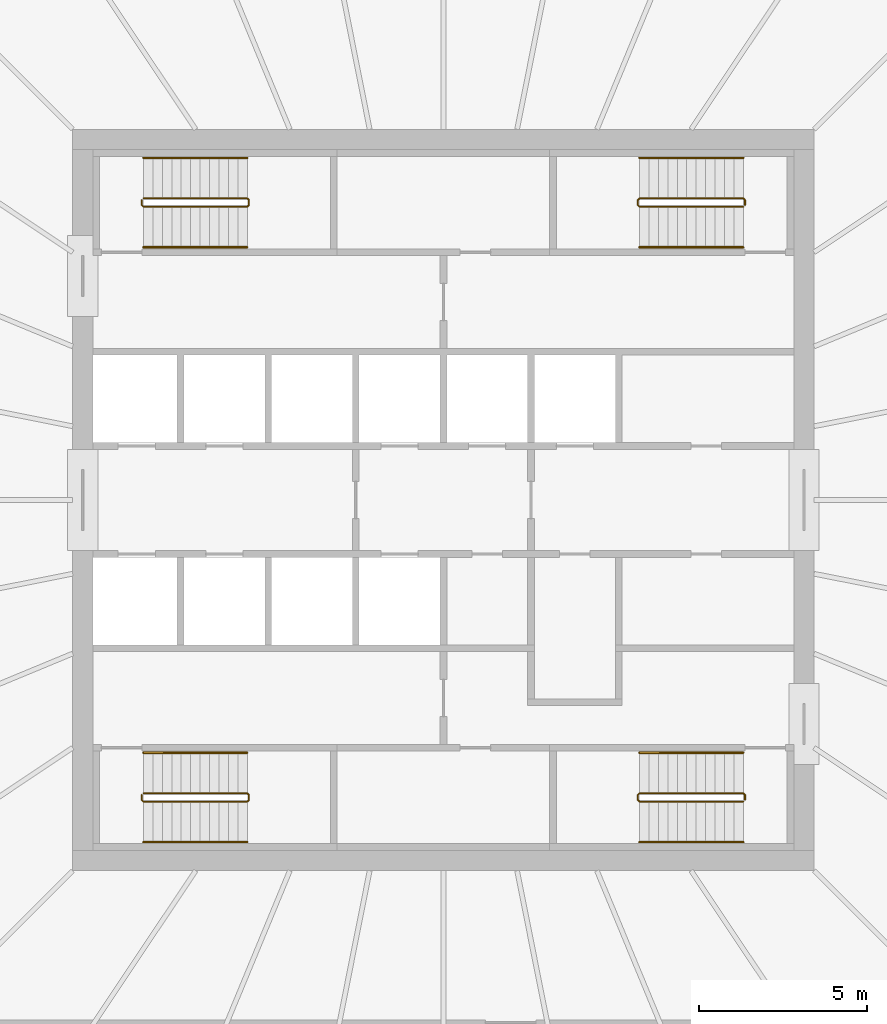
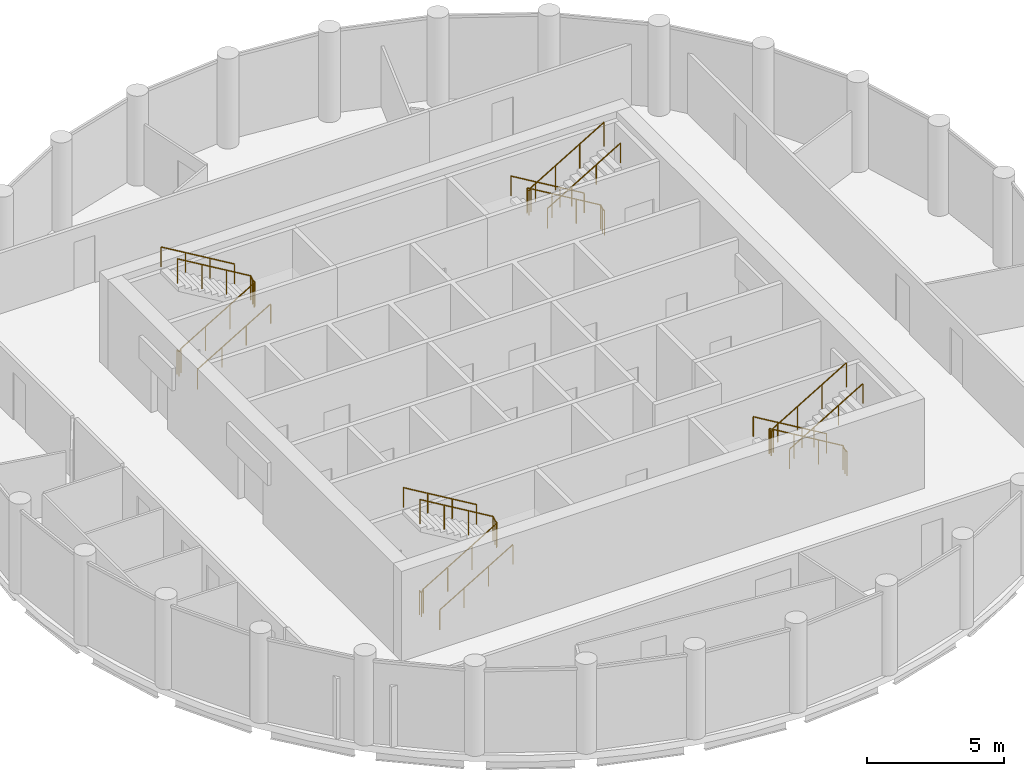
# One storey, part 7 of 7: 12 railings.
"""IFC4 building model written with IfcOpenShell, lengths in metres."""

from ifc_helpers import new_model, si_unit, direction, frame, origin, origin_2d, place, context, subcontext, project, spatial, circle, extrude, material, type_object, element, save


model = new_model("IFC4")

# Units and contexts
model_context = context("Model", 3, precision=1e-05, world=origin(), true_north=direction((0.0, 1.0)))
body_context = subcontext(model_context, "Body", "Model", "MODEL_VIEW")
ifc_project = project(units=[si_unit("LENGTHUNIT", "METRE"), si_unit("AREAUNIT", "SQUARE_METRE"), si_unit("VOLUMEUNIT", "CUBIC_METRE"), si_unit("PLANEANGLEUNIT", "RADIAN"), si_unit("MASSUNIT", "GRAM", prefix="KILO")], contexts=[model_context])

# Site, building, storey
site_placement = place(None, origin())
site = spatial("IfcSite", under=ifc_project, at=site_placement, CompositionType="ELEMENT")
building_placement = place(site_placement, origin())
building = spatial("IfcBuilding", under=site, at=building_placement, Name="Corvane Civic Tower", CompositionType="ELEMENT")
storey_placement = place(building_placement, frame((0.0, 0.0, 328.5)))
storey = spatial("IfcBuildingStorey", under=building, at=storey_placement, Name="L78", CompositionType="ELEMENT", Elevation=328.5)

# Railings
ifc_material_1 = material(Name="Steel ASTM A572 Gr 50", Category="steel")
railing_type_1 = type_object("IfcRailingType", Name="ST-GUARD-1100", PredefinedType="GUARDRAIL", material=ifc_material_1)
railing_1_placement = place(storey_placement, frame((8.949951171875, 8.75, 0.0)))
element("IfcRailing", 1, at=railing_1_placement, inside=storey, type_object=railing_type_1, Name="L78 ST1 stair guard 1", PredefinedType="GUARDRAIL", context=body_context, shape_type="SweptSolid", body=[
    extrude(circle(Radius=0.02392578125, at=origin_2d()), frame((0.0, 0.0, 1.076171875), z_axis=(0.0, 1.0, 0.0), x_axis=(-1.0, 0.0, 0.0)), (0.0, 0.0, 1.0), 0.14990234375),
    extrude(circle(Radius=0.02392578125, at=origin_2d()), frame((0.0, 0.14990234375, 1.076171875), z_axis=(-0.27628659633, 0.27628659633, 0.920506074601), x_axis=(-0.707106781187, -0.707106781187, 0.0)), (0.0, 0.0, 1.0), 0.18115234375),
    extrude(circle(Radius=0.02392578125, at=origin_2d()), frame((-0.050048828125, 0.199951171875, 1.24267578125), z_axis=(-0.859290745958, 0.0, 0.51148745235), x_axis=(0.0, -1.0, 0.0)), (0.0, 0.0, 1.0), 3.584228515625),
    extrude(circle(Radius=0.02392578125, at=origin_2d()), frame((-3.1298828125, 0.199951171875, 3.076171875), z_axis=(-0.707106781187, -0.707106781187, 0.0), x_axis=(0.707106781187, -0.707106781187, 0.0)), (0.0, 0.0, 1.0), 0.07080078125),
    extrude(circle(Radius=0.02392578125, at=origin_2d()), frame((-3.179931640625, 0.14990234375, 3.076171875), z_axis=(0.0, -1.0, 0.0), x_axis=(1.0, 0.0, 0.0)), (0.0, 0.0, 1.0), 0.14990234375),
    extrude(circle(Radius=0.02392578125, at=origin_2d()), frame((-3.179931640625, 0.0, 3.076171875), z_axis=(0.27628659633, -0.27628659633, 0.920506074601), x_axis=(0.707106781187, 0.707106781187, 0.0)), (0.0, 0.0, 1.0), 0.18115234375),
    extrude(circle(Radius=0.02392578125, at=origin_2d()), frame((-3.1298828125, -0.050048828125, 3.24267578125), z_axis=(0.859290745958, 0.0, 0.51148745235), x_axis=(0.0, 1.0, 0.0)), (0.0, 0.0, 1.0), 3.584228515625),
    extrude(circle(Radius=0.02099609375, at=origin_2d()), origin(), (0.0, 0.0, 1.0), 1.052001953125),
    extrude(circle(Radius=0.02099609375, at=origin_2d()), frame((0.0, 0.14990234375, 0.0)), (0.0, 0.0, 1.0), 1.052001953125),
    extrude(circle(Radius=0.02099609375, at=origin_2d()), frame((-0.050048828125, 0.199951171875, 0.166748046875)), (0.0, 0.0, 1.0), 1.052001953125),
    extrude(circle(Radius=0.02099609375, at=origin_2d()), frame((-1.07666015625, 0.199951171875, 0.77783203125)), (0.0, 0.0, 1.0), 1.052001953125),
    extrude(circle(Radius=0.02099609375, at=origin_2d()), frame((-2.103271484375, 0.199951171875, 1.388916015625)), (0.0, 0.0, 1.0), 1.052001953125),
    extrude(circle(Radius=0.02099609375, at=origin_2d()), frame((-3.1298828125, 0.199951171875, 2.0)), (0.0, 0.0, 1.0), 1.052001953125),
    extrude(circle(Radius=0.02099609375, at=origin_2d()), frame((-3.179931640625, 0.14990234375, 2.0)), (0.0, 0.0, 1.0), 1.052001953125),
    extrude(circle(Radius=0.02099609375, at=origin_2d()), frame((-3.179931640625, 0.0, 2.0)), (0.0, 0.0, 1.0), 1.052001953125),
    extrude(circle(Radius=0.02099609375, at=origin_2d()), frame((-3.1298828125, -0.050048828125, 2.166748046875)), (0.0, 0.0, 1.0), 1.052001953125),
    extrude(circle(Radius=0.02099609375, at=origin_2d()), frame((-2.103271484375, -0.050048828125, 2.77783203125)), (0.0, 0.0, 1.0), 1.052001953125),
    extrude(circle(Radius=0.02099609375, at=origin_2d()), frame((-1.07666015625, -0.050048828125, 3.388916015625)), (0.0, 0.0, 1.0), 1.052001953125),
    extrude(circle(Radius=0.02099609375, at=origin_2d()), frame((-0.050048828125, -0.050048828125, 4.0)), (0.0, 0.0, 1.0), 1.052001953125),
])
railing_2_placement = place(storey_placement, frame((8.949951171875, -8.89990234375, 0.0)))
element("IfcRailing", 2, at=railing_2_placement, inside=storey, type_object=railing_type_1, Name="L78 ST2 stair guard 1", PredefinedType="GUARDRAIL", context=body_context, shape_type="SweptSolid", body=[
    extrude(circle(Radius=0.02392578125, at=origin_2d()), frame((0.0, 0.0, 1.076171875), z_axis=(0.0, 1.0, 0.0), x_axis=(-1.0, 0.0, 0.0)), (0.0, 0.0, 1.0), 0.14990234375),
    extrude(circle(Radius=0.02392578125, at=origin_2d()), frame((0.0, 0.14990234375, 1.076171875), z_axis=(-0.27628659633, 0.27628659633, 0.920506074601), x_axis=(-0.707106781187, -0.707106781187, 0.0)), (0.0, 0.0, 1.0), 0.18115234375),
    extrude(circle(Radius=0.02392578125, at=origin_2d()), frame((-0.050048828125, 0.199951171875, 1.24267578125), z_axis=(-0.859290745958, 0.0, 0.51148745235), x_axis=(0.0, -1.0, 0.0)), (0.0, 0.0, 1.0), 3.584228515625),
    extrude(circle(Radius=0.02392578125, at=origin_2d()), frame((-3.1298828125, 0.199951171875, 3.076171875), z_axis=(-0.707106781187, -0.707106781187, 0.0), x_axis=(0.707106781187, -0.707106781187, 0.0)), (0.0, 0.0, 1.0), 0.07080078125),
    extrude(circle(Radius=0.02392578125, at=origin_2d()), frame((-3.179931640625, 0.14990234375, 3.076171875), z_axis=(0.0, -1.0, 0.0), x_axis=(1.0, 0.0, 0.0)), (0.0, 0.0, 1.0), 0.14990234375),
    extrude(circle(Radius=0.02392578125, at=origin_2d()), frame((-3.179931640625, 0.0, 3.076171875), z_axis=(0.27628659633, -0.27628659633, 0.920506074601), x_axis=(0.707106781187, 0.707106781187, 0.0)), (0.0, 0.0, 1.0), 0.18115234375),
    extrude(circle(Radius=0.02392578125, at=origin_2d()), frame((-3.1298828125, -0.050048828125, 3.24267578125), z_axis=(0.859290745958, 0.0, 0.51148745235), x_axis=(0.0, 1.0, 0.0)), (0.0, 0.0, 1.0), 3.584228515625),
    extrude(circle(Radius=0.02099609375, at=origin_2d()), origin(), (0.0, 0.0, 1.0), 1.052001953125),
    extrude(circle(Radius=0.02099609375, at=origin_2d()), frame((0.0, 0.14990234375, 0.0)), (0.0, 0.0, 1.0), 1.052001953125),
    extrude(circle(Radius=0.02099609375, at=origin_2d()), frame((-0.050048828125, 0.199951171875, 0.166748046875)), (0.0, 0.0, 1.0), 1.052001953125),
    extrude(circle(Radius=0.02099609375, at=origin_2d()), frame((-1.07666015625, 0.199951171875, 0.77783203125)), (0.0, 0.0, 1.0), 1.052001953125),
    extrude(circle(Radius=0.02099609375, at=origin_2d()), frame((-2.103271484375, 0.199951171875, 1.388916015625)), (0.0, 0.0, 1.0), 1.052001953125),
    extrude(circle(Radius=0.02099609375, at=origin_2d()), frame((-3.1298828125, 0.199951171875, 2.0)), (0.0, 0.0, 1.0), 1.052001953125),
    extrude(circle(Radius=0.02099609375, at=origin_2d()), frame((-3.179931640625, 0.14990234375, 2.0)), (0.0, 0.0, 1.0), 1.052001953125),
    extrude(circle(Radius=0.02099609375, at=origin_2d()), frame((-3.179931640625, 0.0, 2.0)), (0.0, 0.0, 1.0), 1.052001953125),
    extrude(circle(Radius=0.02099609375, at=origin_2d()), frame((-3.1298828125, -0.050048828125, 2.166748046875)), (0.0, 0.0, 1.0), 1.052001953125),
    extrude(circle(Radius=0.02099609375, at=origin_2d()), frame((-2.103271484375, -0.050048828125, 2.77783203125)), (0.0, 0.0, 1.0), 1.052001953125),
    extrude(circle(Radius=0.02099609375, at=origin_2d()), frame((-1.07666015625, -0.050048828125, 3.388916015625)), (0.0, 0.0, 1.0), 1.052001953125),
    extrude(circle(Radius=0.02099609375, at=origin_2d()), frame((-0.050048828125, -0.050048828125, 4.0)), (0.0, 0.0, 1.0), 1.052001953125),
])
railing_3_placement = place(storey_placement, frame((-8.949951171875, -8.75, 0.0)))
element("IfcRailing", 3, at=railing_3_placement, inside=storey, type_object=railing_type_1, Name="L78 ST3 stair guard 1", PredefinedType="GUARDRAIL", context=body_context, shape_type="SweptSolid", body=[
    extrude(circle(Radius=0.02392578125, at=origin_2d()), frame((0.0, 0.0, 1.076171875), z_axis=(0.0, -1.0, 0.0), x_axis=(1.0, 0.0, 0.0)), (0.0, 0.0, 1.0), 0.14990234375),
    extrude(circle(Radius=0.02392578125, at=origin_2d()), frame((0.0, -0.14990234375, 1.076171875), z_axis=(0.27628659633, -0.27628659633, 0.920506074601), x_axis=(0.707106781187, 0.707106781187, 0.0)), (0.0, 0.0, 1.0), 0.18115234375),
    extrude(circle(Radius=0.02392578125, at=origin_2d()), frame((0.050048828125, -0.199951171875, 1.24267578125), z_axis=(0.859290745958, 0.0, 0.51148745235), x_axis=(0.0, 1.0, 0.0)), (0.0, 0.0, 1.0), 3.584228515625),
    extrude(circle(Radius=0.02392578125, at=origin_2d()), frame((3.1298828125, -0.199951171875, 3.076171875), z_axis=(0.707106781187, 0.707106781187, 0.0), x_axis=(-0.707106781187, 0.707106781187, 0.0)), (0.0, 0.0, 1.0), 0.07080078125),
    extrude(circle(Radius=0.02392578125, at=origin_2d()), frame((3.179931640625, -0.14990234375, 3.076171875), z_axis=(0.0, 1.0, 0.0), x_axis=(-1.0, 0.0, 0.0)), (0.0, 0.0, 1.0), 0.14990234375),
    extrude(circle(Radius=0.02392578125, at=origin_2d()), frame((3.179931640625, 0.0, 3.076171875), z_axis=(-0.27628659633, 0.27628659633, 0.920506074601), x_axis=(-0.707106781187, -0.707106781187, 0.0)), (0.0, 0.0, 1.0), 0.18115234375),
    extrude(circle(Radius=0.02392578125, at=origin_2d()), frame((3.1298828125, 0.050048828125, 3.24267578125), z_axis=(-0.859290745958, 0.0, 0.51148745235), x_axis=(0.0, -1.0, 0.0)), (0.0, 0.0, 1.0), 3.584228515625),
    extrude(circle(Radius=0.02099609375, at=origin_2d()), origin(), (0.0, 0.0, 1.0), 1.052001953125),
    extrude(circle(Radius=0.02099609375, at=origin_2d()), frame((0.0, -0.14990234375, 0.0)), (0.0, 0.0, 1.0), 1.052001953125),
    extrude(circle(Radius=0.02099609375, at=origin_2d()), frame((0.050048828125, -0.199951171875, 0.166748046875)), (0.0, 0.0, 1.0), 1.052001953125),
    extrude(circle(Radius=0.02099609375, at=origin_2d()), frame((1.07666015625, -0.199951171875, 0.77783203125)), (0.0, 0.0, 1.0), 1.052001953125),
    extrude(circle(Radius=0.02099609375, at=origin_2d()), frame((2.103271484375, -0.199951171875, 1.388916015625)), (0.0, 0.0, 1.0), 1.052001953125),
    extrude(circle(Radius=0.02099609375, at=origin_2d()), frame((3.1298828125, -0.199951171875, 2.0)), (0.0, 0.0, 1.0), 1.052001953125),
    extrude(circle(Radius=0.02099609375, at=origin_2d()), frame((3.179931640625, -0.14990234375, 2.0)), (0.0, 0.0, 1.0), 1.052001953125),
    extrude(circle(Radius=0.02099609375, at=origin_2d()), frame((3.179931640625, 0.0, 2.0)), (0.0, 0.0, 1.0), 1.052001953125),
    extrude(circle(Radius=0.02099609375, at=origin_2d()), frame((3.1298828125, 0.050048828125, 2.166748046875)), (0.0, 0.0, 1.0), 1.052001953125),
    extrude(circle(Radius=0.02099609375, at=origin_2d()), frame((2.103271484375, 0.050048828125, 2.77783203125)), (0.0, 0.0, 1.0), 1.052001953125),
    extrude(circle(Radius=0.02099609375, at=origin_2d()), frame((1.07666015625, 0.050048828125, 3.388916015625)), (0.0, 0.0, 1.0), 1.052001953125),
    extrude(circle(Radius=0.02099609375, at=origin_2d()), frame((0.050048828125, 0.050048828125, 4.0)), (0.0, 0.0, 1.0), 1.052001953125),
])
railing_4_placement = place(storey_placement, frame((-8.949951171875, 8.89990234375, 0.0)))
element("IfcRailing", 4, at=railing_4_placement, inside=storey, type_object=railing_type_1, Name="L78 ST4 stair guard 1", PredefinedType="GUARDRAIL", context=body_context, shape_type="SweptSolid", body=[
    extrude(circle(Radius=0.02392578125, at=origin_2d()), frame((0.0, 0.0, 1.076171875), z_axis=(0.0, -1.0, 0.0), x_axis=(1.0, 0.0, 0.0)), (0.0, 0.0, 1.0), 0.14990234375),
    extrude(circle(Radius=0.02392578125, at=origin_2d()), frame((0.0, -0.14990234375, 1.076171875), z_axis=(0.27628659633, -0.27628659633, 0.920506074601), x_axis=(0.707106781187, 0.707106781187, 0.0)), (0.0, 0.0, 1.0), 0.18115234375),
    extrude(circle(Radius=0.02392578125, at=origin_2d()), frame((0.050048828125, -0.199951171875, 1.24267578125), z_axis=(0.859290745958, 0.0, 0.51148745235), x_axis=(0.0, 1.0, 0.0)), (0.0, 0.0, 1.0), 3.584228515625),
    extrude(circle(Radius=0.02392578125, at=origin_2d()), frame((3.1298828125, -0.199951171875, 3.076171875), z_axis=(0.707106781187, 0.707106781187, 0.0), x_axis=(-0.707106781187, 0.707106781187, 0.0)), (0.0, 0.0, 1.0), 0.07080078125),
    extrude(circle(Radius=0.02392578125, at=origin_2d()), frame((3.179931640625, -0.14990234375, 3.076171875), z_axis=(0.0, 1.0, 0.0), x_axis=(-1.0, 0.0, 0.0)), (0.0, 0.0, 1.0), 0.14990234375),
    extrude(circle(Radius=0.02392578125, at=origin_2d()), frame((3.179931640625, 0.0, 3.076171875), z_axis=(-0.27628659633, 0.27628659633, 0.920506074601), x_axis=(-0.707106781187, -0.707106781187, 0.0)), (0.0, 0.0, 1.0), 0.18115234375),
    extrude(circle(Radius=0.02392578125, at=origin_2d()), frame((3.1298828125, 0.050048828125, 3.24267578125), z_axis=(-0.859290745958, 0.0, 0.51148745235), x_axis=(0.0, -1.0, 0.0)), (0.0, 0.0, 1.0), 3.584228515625),
    extrude(circle(Radius=0.02099609375, at=origin_2d()), origin(), (0.0, 0.0, 1.0), 1.052001953125),
    extrude(circle(Radius=0.02099609375, at=origin_2d()), frame((0.0, -0.14990234375, 0.0)), (0.0, 0.0, 1.0), 1.052001953125),
    extrude(circle(Radius=0.02099609375, at=origin_2d()), frame((0.050048828125, -0.199951171875, 0.166748046875)), (0.0, 0.0, 1.0), 1.052001953125),
    extrude(circle(Radius=0.02099609375, at=origin_2d()), frame((1.07666015625, -0.199951171875, 0.77783203125)), (0.0, 0.0, 1.0), 1.052001953125),
    extrude(circle(Radius=0.02099609375, at=origin_2d()), frame((2.103271484375, -0.199951171875, 1.388916015625)), (0.0, 0.0, 1.0), 1.052001953125),
    extrude(circle(Radius=0.02099609375, at=origin_2d()), frame((3.1298828125, -0.199951171875, 2.0)), (0.0, 0.0, 1.0), 1.052001953125),
    extrude(circle(Radius=0.02099609375, at=origin_2d()), frame((3.179931640625, -0.14990234375, 2.0)), (0.0, 0.0, 1.0), 1.052001953125),
    extrude(circle(Radius=0.02099609375, at=origin_2d()), frame((3.179931640625, 0.0, 2.0)), (0.0, 0.0, 1.0), 1.052001953125),
    extrude(circle(Radius=0.02099609375, at=origin_2d()), frame((3.1298828125, 0.050048828125, 2.166748046875)), (0.0, 0.0, 1.0), 1.052001953125),
    extrude(circle(Radius=0.02099609375, at=origin_2d()), frame((2.103271484375, 0.050048828125, 2.77783203125)), (0.0, 0.0, 1.0), 1.052001953125),
    extrude(circle(Radius=0.02099609375, at=origin_2d()), frame((1.07666015625, 0.050048828125, 3.388916015625)), (0.0, 0.0, 1.0), 1.052001953125),
    extrude(circle(Radius=0.02099609375, at=origin_2d()), frame((0.050048828125, 0.050048828125, 4.0)), (0.0, 0.0, 1.0), 1.052001953125),
])
ifc_material_2 = material(Name="Steel ASTM A572 Gr 50", Category="steel")
railing_type_2 = type_object("IfcRailingType", Name="ST-HANDRAIL-900", PredefinedType="HANDRAIL", material=ifc_material_2)
railing_5_placement = place(storey_placement, frame((8.89990234375, 10.14990234375, 0.166748046875)))
element("IfcRailing", 5, at=railing_5_placement, inside=storey, type_object=railing_type_2, Name="L78 ST1 stair handrail 1", PredefinedType="HANDRAIL", context=body_context, shape_type="SweptSolid", body=[
    extrude(circle(Radius=0.02392578125, at=origin_2d()), frame((0.0, 0.0, 0.8759765625), z_axis=(-0.859290745958, 0.0, 0.51148745235), x_axis=(0.0, -1.0, 0.0)), (0.0, 0.0, 1.0), 3.584228515625),
    extrude(circle(Radius=0.02099609375, at=origin_2d()), origin(), (0.0, 0.0, 1.0), 0.851806640625),
    extrude(circle(Radius=0.02099609375, at=origin_2d()), frame((-1.026611328125, 0.0, 0.611083984375)), (0.0, 0.0, 1.0), 0.851806640625),
    extrude(circle(Radius=0.02099609375, at=origin_2d()), frame((-2.05322265625, 0.0, 1.22216796875)), (0.0, 0.0, 1.0), 0.851806640625),
    extrude(circle(Radius=0.02099609375, at=origin_2d()), frame((-3.079833984375, 0.0, 1.833251953125)), (0.0, 0.0, 1.0), 0.851806640625),
])
railing_6_placement = place(storey_placement, frame((5.820068359375, 7.5, 2.166748046875)))
element("IfcRailing", 6, at=railing_6_placement, inside=storey, type_object=railing_type_2, Name="L78 ST1 stair handrail 2", PredefinedType="HANDRAIL", context=body_context, shape_type="SweptSolid", body=[
    extrude(circle(Radius=0.02392578125, at=origin_2d()), frame((0.0, 0.0, 0.8759765625), z_axis=(0.859290745958, 0.0, 0.51148745235), x_axis=(0.0, 1.0, 0.0)), (0.0, 0.0, 1.0), 3.584228515625),
    extrude(circle(Radius=0.02099609375, at=origin_2d()), origin(), (0.0, 0.0, 1.0), 0.851806640625),
    extrude(circle(Radius=0.02099609375, at=origin_2d()), frame((1.026611328125, 0.0, 0.611083984375)), (0.0, 0.0, 1.0), 0.851806640625),
    extrude(circle(Radius=0.02099609375, at=origin_2d()), frame((2.05322265625, 0.0, 1.22216796875)), (0.0, 0.0, 1.0), 0.851806640625),
    extrude(circle(Radius=0.02099609375, at=origin_2d()), frame((3.079833984375, 0.0, 1.833251953125)), (0.0, 0.0, 1.0), 0.851806640625),
])
railing_7_placement = place(storey_placement, frame((8.89990234375, -7.5, 0.166748046875)))
element("IfcRailing", 7, at=railing_7_placement, inside=storey, type_object=railing_type_2, Name="L78 ST2 stair handrail 1", PredefinedType="HANDRAIL", context=body_context, shape_type="SweptSolid", body=[
    extrude(circle(Radius=0.02392578125, at=origin_2d()), frame((0.0, 0.0, 0.8759765625), z_axis=(-0.859290745958, 0.0, 0.51148745235), x_axis=(0.0, -1.0, 0.0)), (0.0, 0.0, 1.0), 3.584228515625),
    extrude(circle(Radius=0.02099609375, at=origin_2d()), origin(), (0.0, 0.0, 1.0), 0.851806640625),
    extrude(circle(Radius=0.02099609375, at=origin_2d()), frame((-1.026611328125, 0.0, 0.611083984375)), (0.0, 0.0, 1.0), 0.851806640625),
    extrude(circle(Radius=0.02099609375, at=origin_2d()), frame((-2.05322265625, 0.0, 1.22216796875)), (0.0, 0.0, 1.0), 0.851806640625),
    extrude(circle(Radius=0.02099609375, at=origin_2d()), frame((-3.079833984375, 0.0, 1.833251953125)), (0.0, 0.0, 1.0), 0.851806640625),
])
for number, where, name in (
    (8, (5.820068359375, -10.14990234375, 2.166748046875), "L78 ST2 stair handrail 2"),
    (9, (-8.89990234375, -10.14990234375, 0.166748046875), "L78 ST3 stair handrail 1"),
):
    element("IfcRailing", number, at=place(storey_placement, frame(where)), inside=storey, type_object=railing_type_2, Name=name, PredefinedType="HANDRAIL", context=body_context, shape_type="SweptSolid", body=[
        extrude(circle(Radius=0.02392578125, at=origin_2d()), frame((0.0, 0.0, 0.8759765625), z_axis=(0.859290745958, 0.0, 0.51148745235), x_axis=(0.0, 1.0, 0.0)), (0.0, 0.0, 1.0), 3.584228515625),
        extrude(circle(Radius=0.02099609375, at=origin_2d()), origin(), (0.0, 0.0, 1.0), 0.851806640625),
        extrude(circle(Radius=0.02099609375, at=origin_2d()), frame((1.026611328125, 0.0, 0.611083984375)), (0.0, 0.0, 1.0), 0.851806640625),
        extrude(circle(Radius=0.02099609375, at=origin_2d()), frame((2.05322265625, 0.0, 1.22216796875)), (0.0, 0.0, 1.0), 0.851806640625),
        extrude(circle(Radius=0.02099609375, at=origin_2d()), frame((3.079833984375, 0.0, 1.833251953125)), (0.0, 0.0, 1.0), 0.851806640625),
    ])
railing_8_placement = place(storey_placement, frame((-5.820068359375, -7.5, 2.166748046875)))
element("IfcRailing", 10, at=railing_8_placement, inside=storey, type_object=railing_type_2, Name="L78 ST3 stair handrail 2", PredefinedType="HANDRAIL", context=body_context, shape_type="SweptSolid", body=[
    extrude(circle(Radius=0.02392578125, at=origin_2d()), frame((0.0, 0.0, 0.8759765625), z_axis=(-0.859290745958, 0.0, 0.51148745235), x_axis=(0.0, -1.0, 0.0)), (0.0, 0.0, 1.0), 3.584228515625),
    extrude(circle(Radius=0.02099609375, at=origin_2d()), origin(), (0.0, 0.0, 1.0), 0.851806640625),
    extrude(circle(Radius=0.02099609375, at=origin_2d()), frame((-1.026611328125, 0.0, 0.611083984375)), (0.0, 0.0, 1.0), 0.851806640625),
    extrude(circle(Radius=0.02099609375, at=origin_2d()), frame((-2.05322265625, 0.0, 1.22216796875)), (0.0, 0.0, 1.0), 0.851806640625),
    extrude(circle(Radius=0.02099609375, at=origin_2d()), frame((-3.079833984375, 0.0, 1.833251953125)), (0.0, 0.0, 1.0), 0.851806640625),
])
railing_9_placement = place(storey_placement, frame((-8.89990234375, 7.5, 0.166748046875)))
element("IfcRailing", 11, at=railing_9_placement, inside=storey, type_object=railing_type_2, Name="L78 ST4 stair handrail 1", PredefinedType="HANDRAIL", context=body_context, shape_type="SweptSolid", body=[
    extrude(circle(Radius=0.02392578125, at=origin_2d()), frame((0.0, 0.0, 0.8759765625), z_axis=(0.859290745958, 0.0, 0.51148745235), x_axis=(0.0, 1.0, 0.0)), (0.0, 0.0, 1.0), 3.584228515625),
    extrude(circle(Radius=0.02099609375, at=origin_2d()), origin(), (0.0, 0.0, 1.0), 0.851806640625),
    extrude(circle(Radius=0.02099609375, at=origin_2d()), frame((1.026611328125, 0.0, 0.611083984375)), (0.0, 0.0, 1.0), 0.851806640625),
    extrude(circle(Radius=0.02099609375, at=origin_2d()), frame((2.05322265625, 0.0, 1.22216796875)), (0.0, 0.0, 1.0), 0.851806640625),
    extrude(circle(Radius=0.02099609375, at=origin_2d()), frame((3.079833984375, 0.0, 1.833251953125)), (0.0, 0.0, 1.0), 0.851806640625),
])
railing_10_placement = place(storey_placement, frame((-5.820068359375, 10.14990234375, 2.166748046875)))
element("IfcRailing", 12, at=railing_10_placement, inside=storey, type_object=railing_type_2, Name="L78 ST4 stair handrail 2", PredefinedType="HANDRAIL", context=body_context, shape_type="SweptSolid", body=[
    extrude(circle(Radius=0.02392578125, at=origin_2d()), frame((0.0, 0.0, 0.8759765625), z_axis=(-0.859290745958, 0.0, 0.51148745235), x_axis=(0.0, -1.0, 0.0)), (0.0, 0.0, 1.0), 3.584228515625),
    extrude(circle(Radius=0.02099609375, at=origin_2d()), origin(), (0.0, 0.0, 1.0), 0.851806640625),
    extrude(circle(Radius=0.02099609375, at=origin_2d()), frame((-1.026611328125, 0.0, 0.611083984375)), (0.0, 0.0, 1.0), 0.851806640625),
    extrude(circle(Radius=0.02099609375, at=origin_2d()), frame((-2.05322265625, 0.0, 1.22216796875)), (0.0, 0.0, 1.0), 0.851806640625),
    extrude(circle(Radius=0.02099609375, at=origin_2d()), frame((-3.079833984375, 0.0, 1.833251953125)), (0.0, 0.0, 1.0), 0.851806640625),
])

save(model, "model.ifc")
